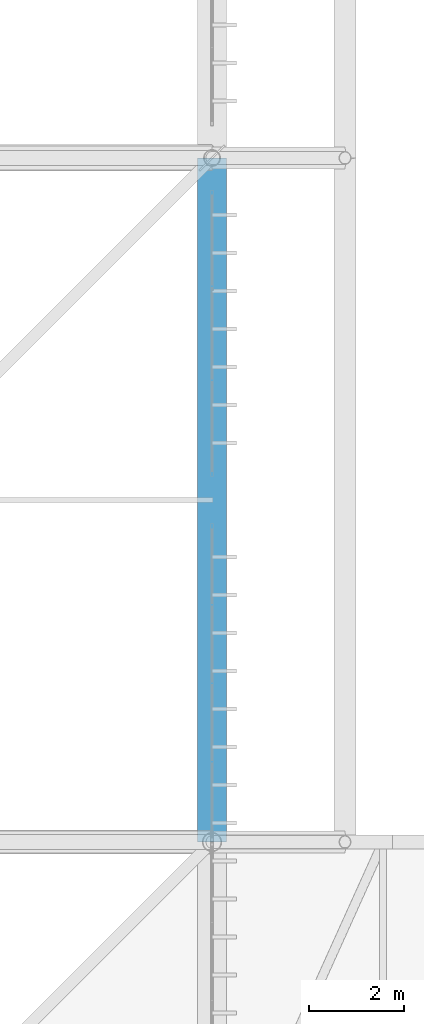
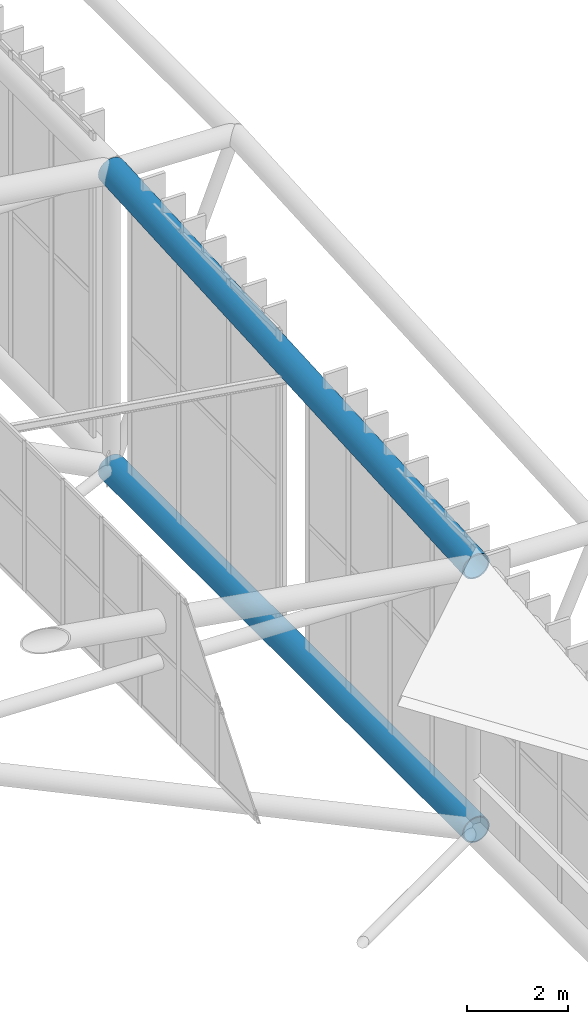
# One storey, part 168 of 397: 2 beams.
"""IFC4 building model written with IfcOpenShell, lengths in metres."""

from ifc_helpers import new_model, si_unit, direction, frame, origin, origin_2d, place, context, subcontext, project, spatial, hollow_circle, extrude, material, material_profile, profile_set, type_object, element, save


model = new_model("IFC4")

# Units and contexts
model_context = context("Model", 3, precision=1e-05, world=origin(), true_north=direction((0.0, 1.0)))
body_context = subcontext(model_context, "Body", "Model", "MODEL_VIEW")
ifc_project = project(units=[si_unit("LENGTHUNIT", "METRE"), si_unit("AREAUNIT", "SQUARE_METRE"), si_unit("VOLUMEUNIT", "CUBIC_METRE"), si_unit("PLANEANGLEUNIT", "RADIAN"), si_unit("MASSUNIT", "GRAM", prefix="KILO")], contexts=[model_context])

# Site, building, storey
site_placement = place(None, origin())
site = spatial("IfcSite", under=ifc_project, at=site_placement, CompositionType="ELEMENT")
building_placement = place(site_placement, origin())
building = spatial("IfcBuilding", under=site, at=building_placement, Name="Qandorah Velis Arena", CompositionType="ELEMENT")
storey_placement = place(building_placement, frame((0.0, 0.0, 27.5)))
storey = spatial("IfcBuildingStorey", under=building, at=storey_placement, Name="RF", CompositionType="ELEMENT", Elevation=27.5)

# Beams
ifc_material = material(Name="Steel S460", Category="steel")
ifc_material_profile_1 = material_profile(ifc_material, hollow_circle(Radius=0.304931640625, WallThickness=0.02490234375, at=origin_2d()), Name="CHS 610x25")
ifc_profile_set_1 = profile_set([ifc_material_profile_1], Name="Steel S460")
beam_type_1 = type_object("IfcBeamType", Name="STR-SFC-CHS610X25", PredefinedType="USERDEFINED", material=ifc_profile_set_1)
beam_1_placement = place(storey_placement, frame((115.199951171875, 43.199951171875, 0.10009765625), z_axis=(0.0, 1.0, 0.0), x_axis=(-1.0, 0.0, 0.0)))
element("IfcBeam", 1, at=beam_1_placement, inside=storey, type_object=beam_type_1, Name="Space frame roof truss bottom chord Y 7.2", ObjectType="ROOF TRUSS", PredefinedType="USERDEFINED", context=body_context, shape_type="SweptSolid", body=[
    extrude(hollow_circle(Radius=0.304931640625, WallThickness=0.02490234375, at=origin_2d()), origin(), (0.0, 0.0, 1.0), 14.400146484375),
])
ifc_material_profile_2 = material_profile(ifc_material, hollow_circle(Radius=0.304931640625, WallThickness=0.031982421875, at=origin_2d()), Name="CHS 610x32")
ifc_profile_set_2 = profile_set([ifc_material_profile_2], Name="Steel S460")
beam_type_2 = type_object("IfcBeamType", Name="STR-SFC-CHS610X32", PredefinedType="USERDEFINED", material=ifc_profile_set_2)
beam_2_placement = place(storey_placement, frame((115.199951171875, 43.199951171875, 6.448486328125), z_axis=(0.0, 0.998374665681, 0.056991463631), x_axis=(-1.0, 0.0, 0.0)))
element("IfcBeam", 2, at=beam_2_placement, inside=storey, type_object=beam_type_2, Name="Space frame roof truss top chord Y 7.2", ObjectType="ROOF TRUSS", PredefinedType="USERDEFINED", context=body_context, shape_type="SweptSolid", body=[
    extrude(hollow_circle(Radius=0.304931640625, WallThickness=0.031982421875, at=origin_2d()), origin(), (0.0, 0.0, 1.0), 14.423583984375),
])

save(model, "model.ifc")
